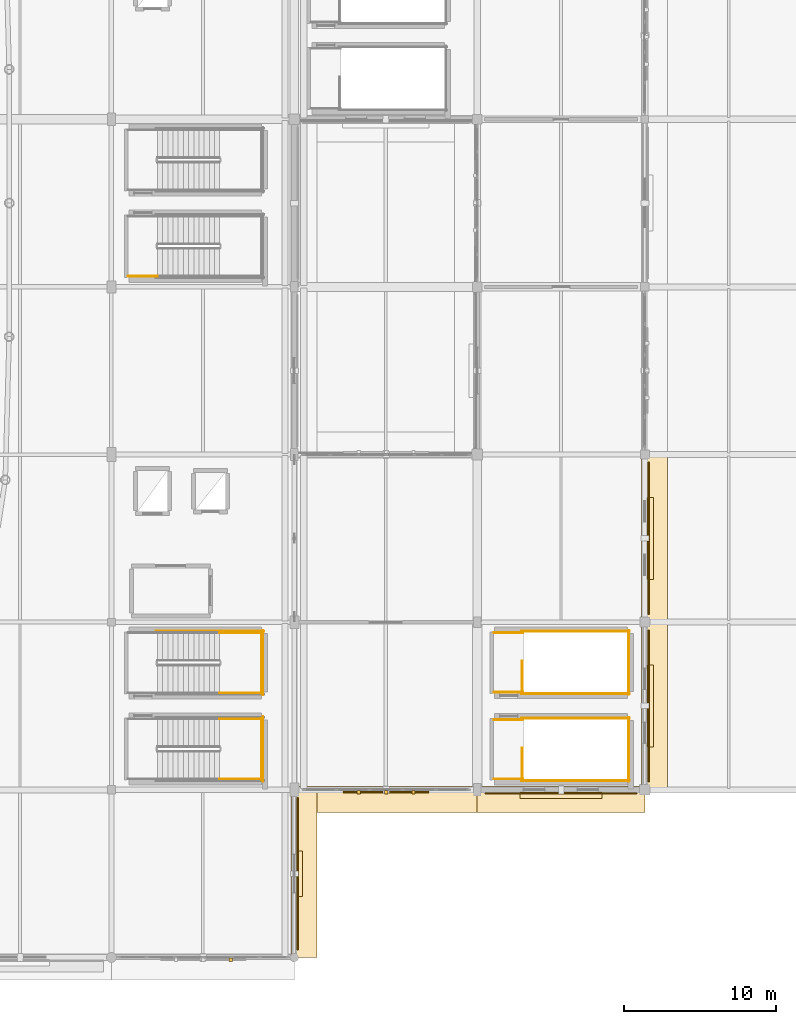
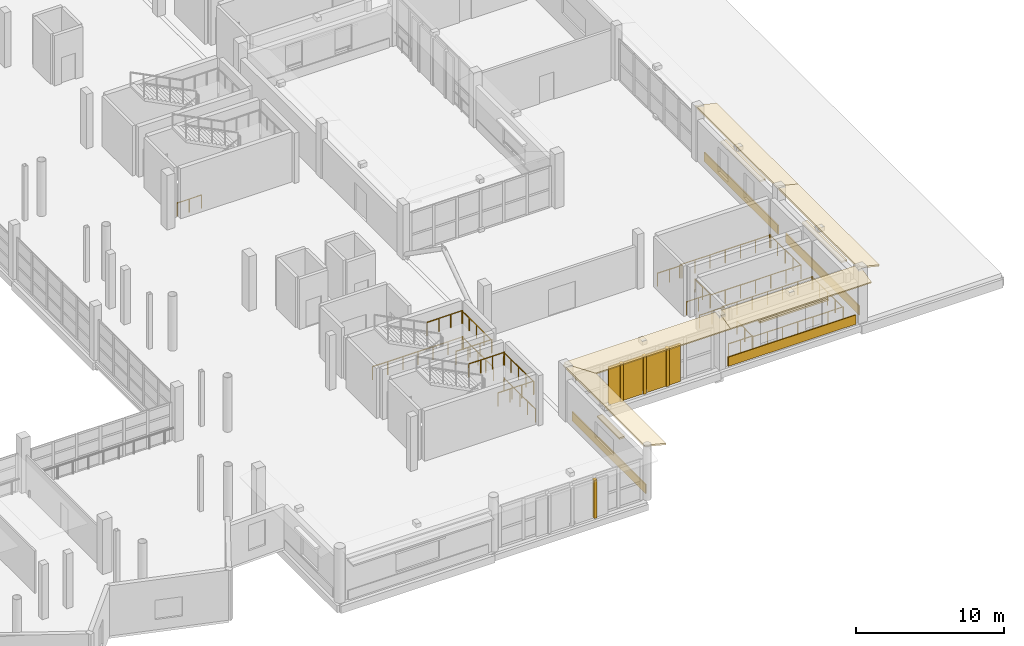
# One storey, part 110 of 118: 22 railings, 17 coverings, 1 shading device.
"""IFC4 building model written with IfcOpenShell, lengths in metres."""

from ifc_helpers import new_model, si_unit, direction, frame, origin, origin_2d, place, context, subcontext, project, spatial, polyline, rectangle, circle, outline, extrude, material, layer, layer_set, type_object, element, save


model = new_model("IFC4")

# Units and contexts
model_context = context("Model", 3, precision=1e-05, world=origin(), true_north=direction((0.0, 1.0)))
body_context = subcontext(model_context, "Body", "Model", "MODEL_VIEW")
ifc_project = project(units=[si_unit("LENGTHUNIT", "METRE"), si_unit("AREAUNIT", "SQUARE_METRE"), si_unit("VOLUMEUNIT", "CUBIC_METRE"), si_unit("PLANEANGLEUNIT", "RADIAN"), si_unit("MASSUNIT", "GRAM", prefix="KILO")], contexts=[model_context])

# Site, building, storey
site_placement = place(None, origin())
site = spatial("IfcSite", under=ifc_project, at=site_placement, CompositionType="ELEMENT")
building_placement = place(site_placement, origin())
building = spatial("IfcBuilding", under=site, at=building_placement, Name="Luwafu Chhajja Arena", CompositionType="ELEMENT")
storey_placement = place(building_placement, frame((0.0, 0.0, 10.199951171875)))
storey = spatial("IfcBuildingStorey", under=building, at=storey_placement, Name="L02", CompositionType="ELEMENT", Elevation=10.199951171875)

# Coverings
ifc_material_1 = material(Name="Red laterite sandstone cladding", Category="masonry")
ifc_layer_1 = layer(ifc_material_1, 0.074951171875, Name="Red laterite sandstone cladding")
ifc_layer_set_1 = layer_set([ifc_layer_1], Name="Red laterite sandstone cladding")
covering_type = type_object("IfcCoveringType", Name="Dressed Red-Laterite Sandstone Cladding", PredefinedType="CLADDING", material=ifc_layer_set_1)
covering_1_placement = place(storey_placement, frame((159.81689453125, -0.14990234375, 0.0), z_axis=(0.0, 0.0, 1.0), x_axis=(1.0, 0.0, 0.0)))
element("IfcCovering", 1, at=covering_1_placement, inside=storey, type_object=covering_type, Name="L02 Sandstone Jali Mullion Fin 040", PredefinedType="CLADDING", context=body_context, shape_type="SweptSolid", body=[
    extrude(rectangle(XDim=0.219970703125, YDim=0.239990234375, at=origin_2d()), origin(), (0.0, 0.0, 1.0), 3.155029296875),
])
covering_2_placement = place(storey_placement, frame((163.800048828125, 0.0, 4.4599609375), z_axis=(0.242502450825, 0.0, 0.970150793096), x_axis=(0.0, 1.0, 0.0)))
element("IfcCovering", 2, at=covering_2_placement, inside=storey, type_object=covering_type, Name="L02 Continuous Sloped Sandstone Chhajja Eave 0162", PredefinedType="CLADDING", context=body_context, shape_type="SweptSolid", body=[
    extrude(outline(polyline([(0.0, 0.0), (11.0, 0.0), (11.0, -1.731619097341133), (0.0, -1.731619097341133), (0.0, 0.0)])), origin(), (0.0, 0.0, -1.0), 0.1298828125),
])
covering_3_placement = place(storey_placement, frame((164.2119140625, 5.5, 0.0), z_axis=(0.0, 0.0, 1.0), x_axis=(0.0, 1.0, 0.0)))
element("IfcCovering", 3, at=covering_3_placement, inside=storey, type_object=covering_type, Name="L02 Red-Laterite Sandstone Plinth Cladding 062", PredefinedType="CLADDING", context=body_context, shape_type="SweptSolid", body=[
    extrude(rectangle(XDim=9.9599609375, YDim=0.0849609375, at=origin_2d()), origin(), (0.0, 0.0, 1.0), 0.760009765625),
])
covering_4_placement = place(storey_placement, frame((164.340087890625, 5.5, 2.3798828125), z_axis=(0.0, 0.0, 1.0), x_axis=(0.0, 1.0, 0.0)))
element("IfcCovering", 4, at=covering_4_placement, inside=storey, type_object=covering_type, Name="L02 Mughal Sandstone Window Chhajja Hood 0060", PredefinedType="CLADDING", context=body_context, shape_type="SweptSolid", body=[
    extrude(rectangle(XDim=3.0, YDim=0.419921875, at=origin_2d()), origin(), (0.0, 0.0, 1.0), 0.139892578125),
])
covering_5_placement = place(storey_placement, frame((164.0, 11.199951171875, 4.4599609375), z_axis=(0.0, -0.242502450825, 0.970150793096), x_axis=(1.0, 0.0, 0.0)))
element("IfcCovering", 5, at=covering_5_placement, inside=storey, type_object=covering_type, Name="L02 Continuous Sloped Sandstone Chhajja Eave 0165", PredefinedType="CLADDING", context=body_context, shape_type="SweptSolid", body=[
    extrude(outline(polyline([(0.0, 0.0), (12.0, 0.0), (12.0, -1.731619097341133), (0.0, -1.731619097341133), (0.0, 0.0)])), origin(), (0.0, 0.0, -1.0), 0.1298828125),
])
for number, where, z_axis, x_axis, name in (
    (6, (168.23291015625, 10.85009765625, 0.0), (0.0, 0.0, 1.0), (1.0, 0.0, 0.0), "L02 Sandstone Jali Mullion Fin 041"),
    (7, (170.02490234375, 10.85009765625, 0.0), (0.0, 0.0, 1.0), (1.0, 0.0, 0.0), "L02 Sandstone Jali Mullion Fin 041"),
    (8, (171.81689453125, 10.85009765625, 0.0), (0.0, 0.0, 1.0), (1.0, 0.0, 0.0), "L02 Sandstone Jali Mullion Fin 041"),
):
    element("IfcCovering", number, at=place(storey_placement, frame(where, z_axis=z_axis, x_axis=x_axis)), inside=storey, type_object=covering_type, Name=name, PredefinedType="CLADDING", context=body_context, shape_type="SweptSolid", body=[
        extrude(rectangle(XDim=0.219970703125, YDim=0.239990234375, at=origin_2d()), origin(), (0.0, 0.0, 1.0), 3.155029296875),
    ])
covering_6_placement = place(storey_placement, frame((176.0, 11.199951171875, 4.4599609375), z_axis=(0.0, -0.242502450825, 0.970150793096), x_axis=(1.0, 0.0, 0.0)))
element("IfcCovering", 9, at=covering_6_placement, inside=storey, type_object=covering_type, Name="L02 Continuous Sloped Sandstone Chhajja Eave 0168", PredefinedType="CLADDING", context=body_context, shape_type="SweptSolid", body=[
    extrude(outline(polyline([(0.0, 0.0), (11.0, 0.0), (11.0, -1.731619097341133), (0.0, -1.731619097341133), (0.0, 0.0)])), origin(), (0.0, 0.0, -1.0), 0.1298828125),
])
covering_7_placement = place(storey_placement, frame((181.5, 10.76806640625, 0.0), z_axis=(0.0, 0.0, 1.0), x_axis=(1.0, 0.0, 0.0)))
element("IfcCovering", 10, at=covering_7_placement, inside=storey, type_object=covering_type, Name="L02 Red-Laterite Sandstone Plinth Cladding 066", PredefinedType="CLADDING", context=body_context, shape_type="SweptSolid", body=[
    extrude(rectangle(XDim=9.9599609375, YDim=0.0849609375, at=origin_2d()), origin(), (0.0, 0.0, 1.0), 0.760009765625),
])
covering_8_placement = place(storey_placement, frame((181.5, 10.639892578125, 2.93017578125), z_axis=(0.0, 0.0, 1.0), x_axis=(1.0, 0.0, 0.0)))
element("IfcCovering", 11, at=covering_8_placement, inside=storey, type_object=covering_type, Name="L02 Mughal Sandstone Window Chhajja Hood 0062", PredefinedType="CLADDING", context=body_context, shape_type="SweptSolid", body=[
    extrude(rectangle(XDim=5.3701171875, YDim=0.419921875, at=origin_2d()), origin(), (0.0, 0.0, 1.0), 0.139892578125),
])
covering_9_placement = place(storey_placement, frame((186.800048828125, 11.0, 4.4599609375), z_axis=(0.242502450825, 0.0, 0.970150793096), x_axis=(0.0, 1.0, 0.0)))
element("IfcCovering", 12, at=covering_9_placement, inside=storey, type_object=covering_type, Name="L02 Continuous Sloped Sandstone Chhajja Eave 0169", PredefinedType="CLADDING", context=body_context, shape_type="SweptSolid", body=[
    extrude(outline(polyline([(0.0, 0.0), (11.0, 0.0), (11.0, -1.731619097341133), (0.0, -1.731619097341133), (0.0, 0.0)])), origin(), (0.0, 0.0, -1.0), 0.1298828125),
])
covering_10_placement = place(storey_placement, frame((187.23193359375, 16.5, 0.0), z_axis=(0.0, 0.0, 1.0), x_axis=(0.0, 1.0, 0.0)))
element("IfcCovering", 13, at=covering_10_placement, inside=storey, type_object=covering_type, Name="L02 Red-Laterite Sandstone Plinth Cladding 067", PredefinedType="CLADDING", context=body_context, shape_type="SweptSolid", body=[
    extrude(rectangle(XDim=9.9599609375, YDim=0.0849609375, at=origin_2d()), origin(), (0.0, 0.0, 1.0), 0.760009765625),
])
covering_11_placement = place(storey_placement, frame((187.360107421875, 16.5, 2.93017578125), z_axis=(0.0, 0.0, 1.0), x_axis=(0.0, 1.0, 0.0)))
element("IfcCovering", 14, at=covering_11_placement, inside=storey, type_object=covering_type, Name="L02 Mughal Sandstone Window Chhajja Hood 0063", PredefinedType="CLADDING", context=body_context, shape_type="SweptSolid", body=[
    extrude(rectangle(XDim=5.3701171875, YDim=0.419921875, at=origin_2d()), origin(), (0.0, 0.0, 1.0), 0.139892578125),
])
covering_12_placement = place(storey_placement, frame((186.800048828125, 22.0, 4.4599609375), z_axis=(0.242502450825, 0.0, 0.970150793096), x_axis=(0.0, 1.0, 0.0)))
element("IfcCovering", 15, at=covering_12_placement, inside=storey, type_object=covering_type, Name="L02 Continuous Sloped Sandstone Chhajja Eave 0170", PredefinedType="CLADDING", context=body_context, shape_type="SweptSolid", body=[
    extrude(outline(polyline([(0.0, 0.0), (11.0, 0.0), (11.0, -1.731619097341133), (0.0, -1.731619097341133), (0.0, 0.0)])), origin(), (0.0, 0.0, -1.0), 0.1298828125),
])
covering_13_placement = place(storey_placement, frame((187.23193359375, 27.5, 0.0), z_axis=(0.0, 0.0, 1.0), x_axis=(0.0, 1.0, 0.0)))
element("IfcCovering", 16, at=covering_13_placement, inside=storey, type_object=covering_type, Name="L02 Red-Laterite Sandstone Plinth Cladding 068", PredefinedType="CLADDING", context=body_context, shape_type="SweptSolid", body=[
    extrude(rectangle(XDim=9.9599609375, YDim=0.0849609375, at=origin_2d()), origin(), (0.0, 0.0, 1.0), 0.760009765625),
])
covering_14_placement = place(storey_placement, frame((187.360107421875, 27.5, 2.93017578125), z_axis=(0.0, 0.0, 1.0), x_axis=(0.0, 1.0, 0.0)))
element("IfcCovering", 17, at=covering_14_placement, inside=storey, type_object=covering_type, Name="L02 Mughal Sandstone Window Chhajja Hood 0064", PredefinedType="CLADDING", context=body_context, shape_type="SweptSolid", body=[
    extrude(rectangle(XDim=5.3701171875, YDim=0.419921875, at=origin_2d()), origin(), (0.0, 0.0, 1.0), 0.139892578125),
])

# Shading device
ifc_material_2 = material(Name="Pierced buff sandstone jali", Category="masonry")
ifc_layer_2 = layer(ifc_material_2, 0.080078125, Name="Pierced buff sandstone jali")
ifc_layer_set_2 = layer_set([ifc_layer_2], Name="Pierced buff sandstone jali")
shading_device_type = type_object("IfcShadingDeviceType", Name="Pierced Buff-Sandstone Jali Screen", PredefinedType="JALOUSIE", material=ifc_layer_set_2)
shading_device_placement = place(storey_placement, frame((170.02490234375, 10.85009765625, 0.0), z_axis=(0.0, 0.0, 1.0), x_axis=(1.0, 0.0, 0.0)))
element("IfcShadingDevice", 18, at=shading_device_placement, inside=storey, type_object=shading_device_type, Name="L02 Pierced Buff-Sandstone Jali Screen 041", PredefinedType="JALOUSIE", context=body_context, shape_type="SweptSolid", body=[
    extrude(rectangle(XDim=5.60009765625, YDim=0.080078125, at=origin_2d()), origin(), (0.0, 0.0, 1.0), 3.155029296875),
])

# Railings
ifc_material_3 = material(Name="Stainless steel balustrade", Category="steel")
railing_type = type_object("IfcRailingType", Name="Stair and Terrace Guard Balustrade 1100", PredefinedType="BALUSTRADE", material=ifc_material_3)
for number, where, name in (
    (19, (159.10009765625, 11.699951171875, 2.25), "L02 ST-03 stair guard 3"),
    (20, (159.10009765625, 15.639892578125, 2.25), "L02 ST-03 stair guard 4"),
):
    element("IfcRailing", number, at=place(storey_placement, frame(where)), inside=storey, type_object=railing_type, Name=name, PredefinedType="BALUSTRADE", context=body_context, shape_type="SweptSolid", body=[
        extrude(circle(Radius=0.02392578125, at=origin_2d()), frame((0.0, 0.0, 1.076171875), z_axis=(1.0, 0.0, 0.0), x_axis=(0.0, 1.0, 0.0)), (0.0, 0.0, 1.0), 2.7998046875),
        extrude(circle(Radius=0.02099609375, at=origin_2d()), origin(), (0.0, 0.0, 1.0), 1.052001953125),
        extrude(circle(Radius=0.02099609375, at=origin_2d()), frame((0.933349609375, 0.0, 0.0)), (0.0, 0.0, 1.0), 1.052001953125),
        extrude(circle(Radius=0.02099609375, at=origin_2d()), frame((1.866455078125, 0.0, 0.0)), (0.0, 0.0, 1.0), 1.052001953125),
        extrude(circle(Radius=0.02099609375, at=origin_2d()), frame((2.7998046875, 0.0, 0.0)), (0.0, 0.0, 1.0), 1.052001953125),
    ])
railing_1_placement = place(storey_placement, frame((161.85009765625, 11.64990234375, 2.25)))
element("IfcRailing", 21, at=railing_1_placement, inside=storey, type_object=railing_type, Name="L02 ST-03 stair guard 5", PredefinedType="BALUSTRADE", context=body_context, shape_type="SweptSolid", body=[
    extrude(circle(Radius=0.02392578125, at=origin_2d()), frame((0.0, 0.0, 1.076171875), z_axis=(0.0, 1.0, 0.0), x_axis=(-1.0, 0.0, 0.0)), (0.0, 0.0, 1.0), 4.0400390625),
    extrude(circle(Radius=0.02099609375, at=origin_2d()), origin(), (0.0, 0.0, 1.0), 1.052001953125),
    extrude(circle(Radius=0.02099609375, at=origin_2d()), frame((0.0, 1.010009765625, 0.0)), (0.0, 0.0, 1.0), 1.052001953125),
    extrude(circle(Radius=0.02099609375, at=origin_2d()), frame((0.0, 2.02001953125, 0.0)), (0.0, 0.0, 1.0), 1.052001953125),
    extrude(circle(Radius=0.02099609375, at=origin_2d()), frame((0.0, 3.030029296875, 0.0)), (0.0, 0.0, 1.0), 1.052001953125),
    extrude(circle(Radius=0.02099609375, at=origin_2d()), frame((0.0, 4.0400390625, 0.0)), (0.0, 0.0, 1.0), 1.052001953125),
])
railing_2_placement = place(storey_placement, frame((161.949951171875, 11.550048828125, 0.0)))
element("IfcRailing", 22, at=railing_2_placement, inside=storey, type_object=railing_type, Name="L02 ST-03 stair guard 12", PredefinedType="BALUSTRADE", context=body_context, shape_type="SweptSolid", body=[
    extrude(circle(Radius=0.02392578125, at=origin_2d()), frame((0.0, 0.0, 1.076171875), z_axis=(0.0, 1.0, 0.0), x_axis=(-1.0, 0.0, 0.0)), (0.0, 0.0, 1.0), 4.239990234375),
    extrude(circle(Radius=0.02099609375, at=origin_2d()), origin(), (0.0, 0.0, 1.0), 1.052001953125),
    extrude(circle(Radius=0.02099609375, at=origin_2d()), frame((0.0, 1.06005859375, 0.0)), (0.0, 0.0, 1.0), 1.052001953125),
    extrude(circle(Radius=0.02099609375, at=origin_2d()), frame((0.0, 2.1201171875, 0.0)), (0.0, 0.0, 1.0), 1.052001953125),
    extrude(circle(Radius=0.02099609375, at=origin_2d()), frame((0.0, 3.179931640625, 0.0)), (0.0, 0.0, 1.0), 1.052001953125),
    extrude(circle(Radius=0.02099609375, at=origin_2d()), frame((0.0, 4.239990234375, 0.0)), (0.0, 0.0, 1.0), 1.052001953125),
])
for number, where, name in (
    (23, (159.10009765625, 17.360107421875, 2.25), "L02 ST-04 stair guard 3"),
    (24, (159.10009765625, 21.300048828125, 2.25), "L02 ST-04 stair guard 4"),
):
    element("IfcRailing", number, at=place(storey_placement, frame(where)), inside=storey, type_object=railing_type, Name=name, PredefinedType="BALUSTRADE", context=body_context, shape_type="SweptSolid", body=[
        extrude(circle(Radius=0.02392578125, at=origin_2d()), frame((0.0, 0.0, 1.076171875), z_axis=(1.0, 0.0, 0.0), x_axis=(0.0, 1.0, 0.0)), (0.0, 0.0, 1.0), 2.7998046875),
        extrude(circle(Radius=0.02099609375, at=origin_2d()), origin(), (0.0, 0.0, 1.0), 1.052001953125),
        extrude(circle(Radius=0.02099609375, at=origin_2d()), frame((0.933349609375, 0.0, 0.0)), (0.0, 0.0, 1.0), 1.052001953125),
        extrude(circle(Radius=0.02099609375, at=origin_2d()), frame((1.866455078125, 0.0, 0.0)), (0.0, 0.0, 1.0), 1.052001953125),
        extrude(circle(Radius=0.02099609375, at=origin_2d()), frame((2.7998046875, 0.0, 0.0)), (0.0, 0.0, 1.0), 1.052001953125),
    ])
railing_3_placement = place(storey_placement, frame((161.85009765625, 17.31005859375, 2.25)))
element("IfcRailing", 25, at=railing_3_placement, inside=storey, type_object=railing_type, Name="L02 ST-04 stair guard 5", PredefinedType="BALUSTRADE", context=body_context, shape_type="SweptSolid", body=[
    extrude(circle(Radius=0.02392578125, at=origin_2d()), frame((0.0, 0.0, 1.076171875), z_axis=(0.0, 1.0, 0.0), x_axis=(-1.0, 0.0, 0.0)), (0.0, 0.0, 1.0), 4.0400390625),
    extrude(circle(Radius=0.02099609375, at=origin_2d()), origin(), (0.0, 0.0, 1.0), 1.052001953125),
    extrude(circle(Radius=0.02099609375, at=origin_2d()), frame((0.0, 1.010009765625, 0.0)), (0.0, 0.0, 1.0), 1.052001953125),
    extrude(circle(Radius=0.02099609375, at=origin_2d()), frame((0.0, 2.02001953125, 0.0)), (0.0, 0.0, 1.0), 1.052001953125),
    extrude(circle(Radius=0.02099609375, at=origin_2d()), frame((0.0, 3.030029296875, 0.0)), (0.0, 0.0, 1.0), 1.052001953125),
    extrude(circle(Radius=0.02099609375, at=origin_2d()), frame((0.0, 4.0400390625, 0.0)), (0.0, 0.0, 1.0), 1.052001953125),
])
railing_4_placement = place(storey_placement, frame((154.919921875, 21.39990234375, 0.0)))
element("IfcRailing", 26, at=railing_4_placement, inside=storey, type_object=railing_type, Name="L02 ST-04 stair guard 11", PredefinedType="BALUSTRADE", context=body_context, shape_type="SweptSolid", body=[
    extrude(circle(Radius=0.02392578125, at=origin_2d()), frame((0.0, 0.0, 1.076171875), z_axis=(1.0, 0.0, 0.0), x_axis=(0.0, 1.0, 0.0)), (0.0, 0.0, 1.0), 7.080078125),
    extrude(circle(Radius=0.02099609375, at=origin_2d()), origin(), (0.0, 0.0, 1.0), 1.052001953125),
    extrude(circle(Radius=0.02099609375, at=origin_2d()), frame((1.179931640625, 0.0, 0.0)), (0.0, 0.0, 1.0), 1.052001953125),
    extrude(circle(Radius=0.02099609375, at=origin_2d()), frame((2.360107421875, 0.0, 0.0)), (0.0, 0.0, 1.0), 1.052001953125),
    extrude(circle(Radius=0.02099609375, at=origin_2d()), frame((3.5400390625, 0.0, 0.0)), (0.0, 0.0, 1.0), 1.052001953125),
    extrude(circle(Radius=0.02099609375, at=origin_2d()), frame((4.719970703125, 0.0, 0.0)), (0.0, 0.0, 1.0), 1.052001953125),
    extrude(circle(Radius=0.02099609375, at=origin_2d()), frame((5.900146484375, 0.0, 0.0)), (0.0, 0.0, 1.0), 1.052001953125),
    extrude(circle(Radius=0.02099609375, at=origin_2d()), frame((7.080078125, 0.0, 0.0)), (0.0, 0.0, 1.0), 1.052001953125),
])
railing_5_placement = place(storey_placement, frame((161.949951171875, 17.2099609375, 0.0)))
element("IfcRailing", 27, at=railing_5_placement, inside=storey, type_object=railing_type, Name="L02 ST-04 stair guard 12", PredefinedType="BALUSTRADE", context=body_context, shape_type="SweptSolid", body=[
    extrude(circle(Radius=0.02392578125, at=origin_2d()), frame((0.0, 0.0, 1.076171875), z_axis=(0.0, 1.0, 0.0), x_axis=(-1.0, 0.0, 0.0)), (0.0, 0.0, 1.0), 4.239990234375),
    extrude(circle(Radius=0.02099609375, at=origin_2d()), origin(), (0.0, 0.0, 1.0), 1.052001953125),
    extrude(circle(Radius=0.02099609375, at=origin_2d()), frame((0.0, 1.06005859375, 0.0)), (0.0, 0.0, 1.0), 1.052001953125),
    extrude(circle(Radius=0.02099609375, at=origin_2d()), frame((0.0, 2.1201171875, 0.0)), (0.0, 0.0, 1.0), 1.052001953125),
    extrude(circle(Radius=0.02099609375, at=origin_2d()), frame((0.0, 3.179931640625, 0.0)), (0.0, 0.0, 1.0), 1.052001953125),
    extrude(circle(Radius=0.02099609375, at=origin_2d()), frame((0.0, 4.239990234375, 0.0)), (0.0, 0.0, 1.0), 1.052001953125),
])
railing_6_placement = place(storey_placement, frame((153.10009765625, 44.699951171875, 0.0)))
element("IfcRailing", 28, at=railing_6_placement, inside=storey, type_object=railing_type, Name="L02 ST-11 stair guard 8", PredefinedType="BALUSTRADE", context=body_context, shape_type="SweptSolid", body=[
    extrude(circle(Radius=0.02392578125, at=origin_2d()), frame((0.0, 0.0, 1.076171875), z_axis=(1.0, 0.0, 0.0), x_axis=(0.0, 1.0, 0.0)), (0.0, 0.0, 1.0), 1.919921875),
    extrude(circle(Radius=0.02099609375, at=origin_2d()), origin(), (0.0, 0.0, 1.0), 1.052001953125),
    extrude(circle(Radius=0.02099609375, at=origin_2d()), frame((0.9599609375, 0.0, 0.0)), (0.0, 0.0, 1.0), 1.052001953125),
    extrude(circle(Radius=0.02099609375, at=origin_2d()), frame((1.919921875, 0.0, 0.0)), (0.0, 0.0, 1.0), 1.052001953125),
])
railing_7_placement = place(storey_placement, frame((178.949951171875, 11.64990234375, 0.0)))
element("IfcRailing", 29, at=railing_7_placement, inside=storey, type_object=railing_type, Name="L02 ST-15 top well guard 1", PredefinedType="BALUSTRADE", context=body_context, shape_type="SweptSolid", body=[
    extrude(circle(Radius=0.02392578125, at=origin_2d()), frame((0.0, 0.0, 1.076171875), z_axis=(0.0, 1.0, 0.0), x_axis=(-1.0, 0.0, 0.0)), (0.0, 0.0, 1.0), 2.10009765625),
    extrude(circle(Radius=0.02099609375, at=origin_2d()), origin(), (0.0, 0.0, 1.0), 1.052001953125),
    extrude(circle(Radius=0.02099609375, at=origin_2d()), frame((0.0, 1.050048828125, 0.0)), (0.0, 0.0, 1.0), 1.052001953125),
    extrude(circle(Radius=0.02099609375, at=origin_2d()), frame((0.0, 2.10009765625, 0.0)), (0.0, 0.0, 1.0), 1.052001953125),
])
for number, where, name in (
    (30, (178.89990234375, 11.60009765625, 0.0), "L02 ST-15 top well guard 2"),
    (31, (178.89990234375, 15.699951171875, 0.0), "L02 ST-15 top well guard 3"),
):
    element("IfcRailing", number, at=place(storey_placement, frame(where)), inside=storey, type_object=railing_type, Name=name, PredefinedType="BALUSTRADE", context=body_context, shape_type="SweptSolid", body=[
        extrude(circle(Radius=0.02392578125, at=origin_2d()), frame((0.0, 0.0, 1.076171875), z_axis=(1.0, 0.0, 0.0), x_axis=(0.0, 1.0, 0.0)), (0.0, 0.0, 1.0), 7.10009765625),
        extrude(circle(Radius=0.02099609375, at=origin_2d()), origin(), (0.0, 0.0, 1.0), 1.052001953125),
        extrude(circle(Radius=0.02099609375, at=origin_2d()), frame((1.183349609375, 0.0, 0.0)), (0.0, 0.0, 1.0), 1.052001953125),
        extrude(circle(Radius=0.02099609375, at=origin_2d()), frame((2.36669921875, 0.0, 0.0)), (0.0, 0.0, 1.0), 1.052001953125),
        extrude(circle(Radius=0.02099609375, at=origin_2d()), frame((3.550048828125, 0.0, 0.0)), (0.0, 0.0, 1.0), 1.052001953125),
        extrude(circle(Radius=0.02099609375, at=origin_2d()), frame((4.7333984375, 0.0, 0.0)), (0.0, 0.0, 1.0), 1.052001953125),
        extrude(circle(Radius=0.02099609375, at=origin_2d()), frame((5.916748046875, 0.0, 0.0)), (0.0, 0.0, 1.0), 1.052001953125),
        extrude(circle(Radius=0.02099609375, at=origin_2d()), frame((7.10009765625, 0.0, 0.0)), (0.0, 0.0, 1.0), 1.052001953125),
    ])
railing_8_placement = place(storey_placement, frame((185.949951171875, 11.550048828125, 0.0)))
element("IfcRailing", 32, at=railing_8_placement, inside=storey, type_object=railing_type, Name="L02 ST-15 top well guard 4", PredefinedType="BALUSTRADE", context=body_context, shape_type="SweptSolid", body=[
    extrude(circle(Radius=0.02392578125, at=origin_2d()), frame((0.0, 0.0, 1.076171875), z_axis=(0.0, 1.0, 0.0), x_axis=(-1.0, 0.0, 0.0)), (0.0, 0.0, 1.0), 4.199951171875),
    extrude(circle(Radius=0.02099609375, at=origin_2d()), origin(), (0.0, 0.0, 1.0), 1.052001953125),
    extrude(circle(Radius=0.02099609375, at=origin_2d()), frame((0.0, 1.050048828125, 0.0)), (0.0, 0.0, 1.0), 1.052001953125),
    extrude(circle(Radius=0.02099609375, at=origin_2d()), frame((0.0, 2.10009765625, 0.0)), (0.0, 0.0, 1.0), 1.052001953125),
    extrude(circle(Radius=0.02099609375, at=origin_2d()), frame((0.0, 3.14990234375, 0.0)), (0.0, 0.0, 1.0), 1.052001953125),
    extrude(circle(Radius=0.02099609375, at=origin_2d()), frame((0.0, 4.199951171875, 0.0)), (0.0, 0.0, 1.0), 1.052001953125),
])
for number, where, name in (
    (33, (177.10009765625, 11.699951171875, 0.0), "L02 ST-15 top well guard 5"),
    (34, (177.10009765625, 15.60009765625, 0.0), "L02 ST-15 top well guard 6"),
):
    element("IfcRailing", number, at=place(storey_placement, frame(where)), inside=storey, type_object=railing_type, Name=name, PredefinedType="BALUSTRADE", context=body_context, shape_type="SweptSolid", body=[
        extrude(circle(Radius=0.02392578125, at=origin_2d()), frame((0.0, 0.0, 1.076171875), z_axis=(1.0, 0.0, 0.0), x_axis=(0.0, 1.0, 0.0)), (0.0, 0.0, 1.0), 1.89990234375),
        extrude(circle(Radius=0.02099609375, at=origin_2d()), origin(), (0.0, 0.0, 1.0), 1.052001953125),
        extrude(circle(Radius=0.02099609375, at=origin_2d()), frame((0.949951171875, 0.0, 0.0)), (0.0, 0.0, 1.0), 1.052001953125),
        extrude(circle(Radius=0.02099609375, at=origin_2d()), frame((1.89990234375, 0.0, 0.0)), (0.0, 0.0, 1.0), 1.052001953125),
    ])
railing_9_placement = place(storey_placement, frame((178.949951171875, 17.35009765625, 0.0)))
element("IfcRailing", 35, at=railing_9_placement, inside=storey, type_object=railing_type, Name="L02 ST-16 top well guard 1", PredefinedType="BALUSTRADE", context=body_context, shape_type="SweptSolid", body=[
    extrude(circle(Radius=0.02392578125, at=origin_2d()), frame((0.0, 0.0, 1.076171875), z_axis=(0.0, 1.0, 0.0), x_axis=(-1.0, 0.0, 0.0)), (0.0, 0.0, 1.0), 2.099853515625),
    extrude(circle(Radius=0.02099609375, at=origin_2d()), origin(), (0.0, 0.0, 1.0), 1.052001953125),
    extrude(circle(Radius=0.02099609375, at=origin_2d()), frame((0.0, 1.0498046875, 0.0)), (0.0, 0.0, 1.0), 1.052001953125),
    extrude(circle(Radius=0.02099609375, at=origin_2d()), frame((0.0, 2.099853515625, 0.0)), (0.0, 0.0, 1.0), 1.052001953125),
])
for number, where, name in (
    (36, (178.89990234375, 17.300048828125, 0.0), "L02 ST-16 top well guard 2"),
    (37, (178.89990234375, 21.39990234375, 0.0), "L02 ST-16 top well guard 3"),
):
    element("IfcRailing", number, at=place(storey_placement, frame(where)), inside=storey, type_object=railing_type, Name=name, PredefinedType="BALUSTRADE", context=body_context, shape_type="SweptSolid", body=[
        extrude(circle(Radius=0.02392578125, at=origin_2d()), frame((0.0, 0.0, 1.076171875), z_axis=(1.0, 0.0, 0.0), x_axis=(0.0, 1.0, 0.0)), (0.0, 0.0, 1.0), 7.10009765625),
        extrude(circle(Radius=0.02099609375, at=origin_2d()), origin(), (0.0, 0.0, 1.0), 1.052001953125),
        extrude(circle(Radius=0.02099609375, at=origin_2d()), frame((1.183349609375, 0.0, 0.0)), (0.0, 0.0, 1.0), 1.052001953125),
        extrude(circle(Radius=0.02099609375, at=origin_2d()), frame((2.36669921875, 0.0, 0.0)), (0.0, 0.0, 1.0), 1.052001953125),
        extrude(circle(Radius=0.02099609375, at=origin_2d()), frame((3.550048828125, 0.0, 0.0)), (0.0, 0.0, 1.0), 1.052001953125),
        extrude(circle(Radius=0.02099609375, at=origin_2d()), frame((4.7333984375, 0.0, 0.0)), (0.0, 0.0, 1.0), 1.052001953125),
        extrude(circle(Radius=0.02099609375, at=origin_2d()), frame((5.916748046875, 0.0, 0.0)), (0.0, 0.0, 1.0), 1.052001953125),
        extrude(circle(Radius=0.02099609375, at=origin_2d()), frame((7.10009765625, 0.0, 0.0)), (0.0, 0.0, 1.0), 1.052001953125),
    ])
railing_10_placement = place(storey_placement, frame((185.949951171875, 17.25, 0.0)))
element("IfcRailing", 38, at=railing_10_placement, inside=storey, type_object=railing_type, Name="L02 ST-16 top well guard 4", PredefinedType="BALUSTRADE", context=body_context, shape_type="SweptSolid", body=[
    extrude(circle(Radius=0.02392578125, at=origin_2d()), frame((0.0, 0.0, 1.076171875), z_axis=(0.0, 1.0, 0.0), x_axis=(-1.0, 0.0, 0.0)), (0.0, 0.0, 1.0), 4.199951171875),
    extrude(circle(Radius=0.02099609375, at=origin_2d()), origin(), (0.0, 0.0, 1.0), 1.052001953125),
    extrude(circle(Radius=0.02099609375, at=origin_2d()), frame((0.0, 1.050048828125, 0.0)), (0.0, 0.0, 1.0), 1.052001953125),
    extrude(circle(Radius=0.02099609375, at=origin_2d()), frame((0.0, 2.10009765625, 0.0)), (0.0, 0.0, 1.0), 1.052001953125),
    extrude(circle(Radius=0.02099609375, at=origin_2d()), frame((0.0, 3.14990234375, 0.0)), (0.0, 0.0, 1.0), 1.052001953125),
    extrude(circle(Radius=0.02099609375, at=origin_2d()), frame((0.0, 4.199951171875, 0.0)), (0.0, 0.0, 1.0), 1.052001953125),
])
for number, where, name in (
    (39, (177.10009765625, 17.39990234375, 0.0), "L02 ST-16 top well guard 5"),
    (40, (177.10009765625, 21.300048828125, 0.0), "L02 ST-16 top well guard 6"),
):
    element("IfcRailing", number, at=place(storey_placement, frame(where)), inside=storey, type_object=railing_type, Name=name, PredefinedType="BALUSTRADE", context=body_context, shape_type="SweptSolid", body=[
        extrude(circle(Radius=0.02392578125, at=origin_2d()), frame((0.0, 0.0, 1.076171875), z_axis=(1.0, 0.0, 0.0), x_axis=(0.0, 1.0, 0.0)), (0.0, 0.0, 1.0), 1.89990234375),
        extrude(circle(Radius=0.02099609375, at=origin_2d()), origin(), (0.0, 0.0, 1.0), 1.052001953125),
        extrude(circle(Radius=0.02099609375, at=origin_2d()), frame((0.949951171875, 0.0, 0.0)), (0.0, 0.0, 1.0), 1.052001953125),
        extrude(circle(Radius=0.02099609375, at=origin_2d()), frame((1.89990234375, 0.0, 0.0)), (0.0, 0.0, 1.0), 1.052001953125),
    ])

save(model, "model.ifc")
